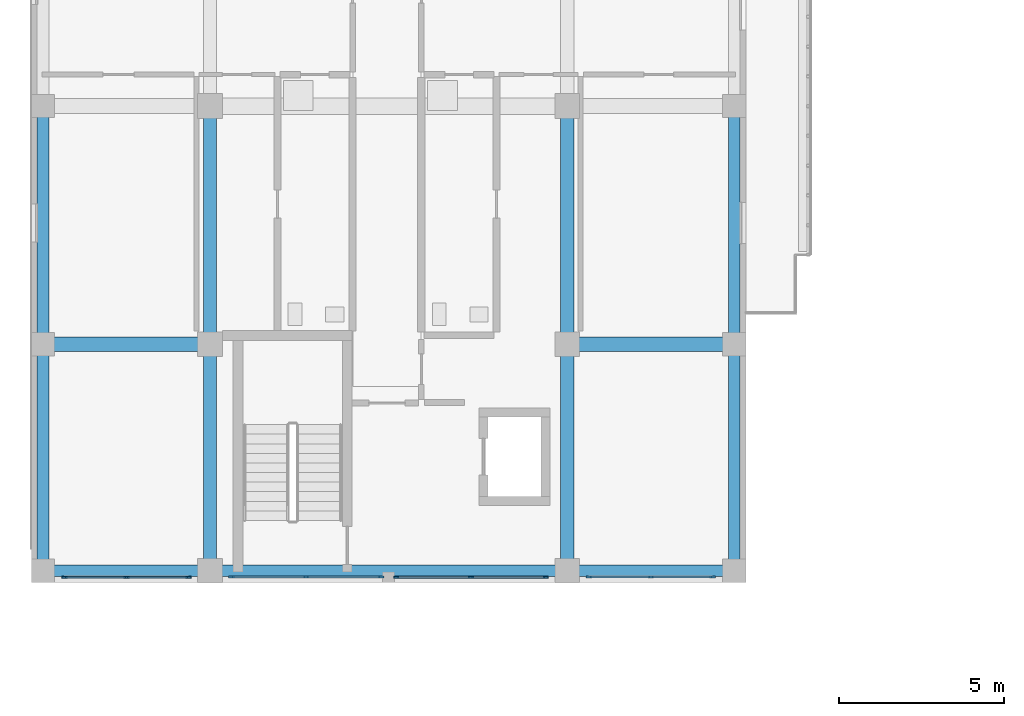
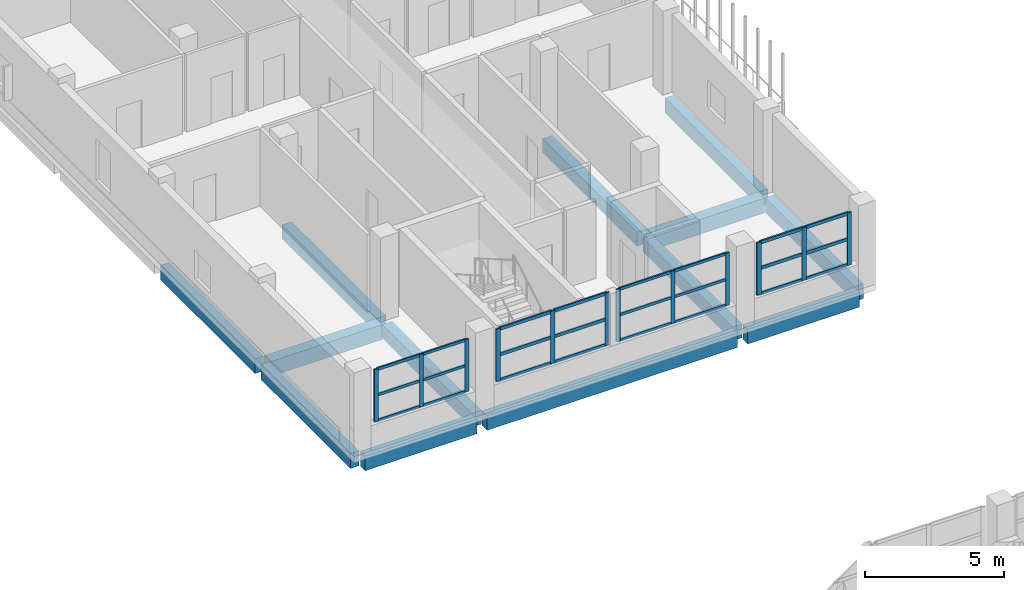
# One storey, part 13 of 73: 36 members, 13 beams, 4 elements without a shape of their own.
"""IFC4 building model written with IfcOpenShell, lengths in metres."""

from ifc_helpers import new_model, si_unit, derived_unit, direction, frame, origin, origin_2d, place, context, subcontext, project, spatial, rectangle, extrude, material, layer, layer_set, material_profile, profile_set, type_object, element, aggregate, save


model = new_model("IFC4")

# Units and contexts
model_context = context("Model", 3, precision=1e-05, world=origin(), true_north=direction((0.0, 1.0)))
body_context = subcontext(model_context, "Body", "Model", "MODEL_VIEW")
ifc_project = project(units=[si_unit("LENGTHUNIT", "METRE"), si_unit("AREAUNIT", "SQUARE_METRE"), si_unit("VOLUMEUNIT", "CUBIC_METRE"), si_unit("PLANEANGLEUNIT", "RADIAN"), si_unit("MASSUNIT", "GRAM", prefix="KILO"), derived_unit("THERMALTRANSMITTANCEUNIT", [(si_unit("MASSUNIT", "GRAM", prefix="KILO"), 1), (si_unit("TIMEUNIT", "SECOND"), -3), (si_unit("THERMODYNAMICTEMPERATUREUNIT", "KELVIN"), -1)])], contexts=[model_context])

# Site, building, storey
site_placement = place(None, origin())
site = spatial("IfcSite", under=ifc_project, at=site_placement, CompositionType="ELEMENT")
building_placement = place(site_placement, origin())
building = spatial("IfcBuilding", under=site, at=building_placement, Name="Ochrekiln Boulevard Commons", CompositionType="ELEMENT")
storey_placement = place(building_placement, frame((0.0, 0.0, 4.89990234375)))
storey = spatial("IfcBuildingStorey", under=building, at=storey_placement, Name="L01", CompositionType="ELEMENT", Elevation=4.89990234375)

# Beams
ifc_material_1 = material(Name="Concrete C35/45", Category="concrete")
ifc_material_profile_1 = material_profile(ifc_material_1, rectangle(XDim=0.39990234375, YDim=0.60009765625, at=origin_2d()), Name="RC-BM-400x600")
ifc_profile_set_1 = profile_set([ifc_material_profile_1], Name="Concrete C35/45")
beam_type_1 = type_object("IfcBeamType", Name="BM-RC-400x600", PredefinedType="BEAM", material=ifc_profile_set_1)
beam_1_placement = place(storey_placement, frame((5.39990234375, 68.9599609375, -0.559814453125), z_axis=(0.0, 1.0, 0.0), x_axis=(-1.0, 0.0, 0.0)))
element("IfcBeam", 1, at=beam_1_placement, inside=storey, type_object=beam_type_1, Name="Block A L01 Beam B-4060 Y30", PredefinedType="BEAM", context=body_context, shape_type="SweptSolid", body=[
    extrude(rectangle(XDim=0.39990234375, YDim=0.60009765625, at=origin_2d()), origin(), (0.0, 0.0, 1.0), 6.429931640625),
])
beam_2_placement = place(storey_placement, frame((5.39990234375, 75.81005859375, -0.559814453125), z_axis=(0.0, 1.0, 0.0), x_axis=(-1.0, 0.0, 0.0)))
element("IfcBeam", 2, at=beam_2_placement, inside=storey, type_object=beam_type_1, Name="Block A L01 Beam B-4060 Y31", PredefinedType="BEAM", context=body_context, shape_type="SweptSolid", body=[
    extrude(rectangle(XDim=0.39990234375, YDim=0.60009765625, at=origin_2d()), origin(), (0.0, 0.0, 1.0), 6.780029296875),
])
beam_3_placement = place(storey_placement, frame((16.199951171875, 68.9599609375, -0.559814453125), z_axis=(0.0, 1.0, 0.0), x_axis=(-1.0, 0.0, 0.0)))
element("IfcBeam", 3, at=beam_3_placement, inside=storey, type_object=beam_type_1, Name="Block A L01 Beam B-4060 Y37", PredefinedType="BEAM", context=body_context, shape_type="SweptSolid", body=[
    extrude(rectangle(XDim=0.39990234375, YDim=0.60009765625, at=origin_2d()), origin(), (0.0, 0.0, 1.0), 6.429931640625),
])
beam_4_placement = place(storey_placement, frame((16.199951171875, 75.81005859375, -0.559814453125), z_axis=(0.0, 1.0, 0.0), x_axis=(-1.0, 0.0, 0.0)))
element("IfcBeam", 4, at=beam_4_placement, inside=storey, type_object=beam_type_1, Name="Block A L01 Beam B-4060 Y38", PredefinedType="BEAM", context=body_context, shape_type="SweptSolid", body=[
    extrude(rectangle(XDim=0.39990234375, YDim=0.60009765625, at=origin_2d()), origin(), (0.0, 0.0, 1.0), 6.780029296875),
])
ifc_material_profile_2 = material_profile(ifc_material_1, rectangle(XDim=0.449951171875, YDim=0.64990234375, at=origin_2d()), Name="RC-BM-450x650")
ifc_profile_set_2 = profile_set([ifc_material_profile_2], Name="Concrete C35/45")
beam_type_2 = type_object("IfcBeamType", Name="BM-RC-450x650", PredefinedType="BEAM", material=ifc_profile_set_2)
beam_5_placement = place(storey_placement, frame((0.56005859375, 75.60009765625, -0.5849609375), z_axis=(1.0, 0.0, 0.0), x_axis=(0.0, 1.0, 0.0)))
element("IfcBeam", 5, at=beam_5_placement, inside=storey, type_object=beam_type_2, Name="Block A L01 Beam B-4565 X4", PredefinedType="BEAM", context=body_context, shape_type="SweptSolid", body=[
    extrude(rectangle(XDim=0.449951171875, YDim=0.64990234375, at=origin_2d()), origin(), (0.0, 0.0, 1.0), 4.6298828125),
])
beam_6_placement = place(storey_placement, frame((16.409912109375, 75.60009765625, -0.5849609375), z_axis=(1.0, 0.0, 0.0), x_axis=(0.0, 1.0, 0.0)))
element("IfcBeam", 6, at=beam_6_placement, inside=storey, type_object=beam_type_2, Name="Block A L01 Beam B-4565 X5", PredefinedType="BEAM", context=body_context, shape_type="SweptSolid", body=[
    extrude(rectangle(XDim=0.449951171875, YDim=0.64990234375, at=origin_2d()), origin(), (0.0, 0.0, 1.0), 4.630126953125),
])

# Curtain wall, members
ifc_material_2 = material(Name="Bronze-anodized extruded aluminium 6063-T6", Category="aluminium")
ifc_layer = layer(ifc_material_2, 0.172119140625)
ifc_layer_set = layer_set([ifc_layer], Name="Bronze-anodized extruded aluminium 6063-T6")
curtain_wall_type = type_object("IfcCurtainWallType", Name="CW-GABLE-A", PredefinedType="USERDEFINED", material=ifc_layer_set)
curtain_wall_1_placement = place(storey_placement, origin())
curtain_wall_1 = element("IfcCurtainWall", 7, at=curtain_wall_1_placement, inside=storey, type_object=curtain_wall_type, Name="Block A L01 Courtyard Glazed Gable Curtain Wall 1", ObjectType="GLAZED CURTAIN WALL", PredefinedType="USERDEFINED")
ifc_material_profile_3 = material_profile(ifc_material_2, rectangle(XDim=0.06005859375, YDim=0.159912109375, at=origin_2d()), Name="ALU-MUL-60x160")
ifc_profile_set_3 = profile_set([ifc_material_profile_3], Name="Bronze-anodized extruded aluminium 6063-T6")
member_type_1 = type_object("IfcMemberType", Name="CWM-60x160", PredefinedType="MULLION", material=ifc_profile_set_3)
member_1_placement = place(storey_placement, frame((1.0, 68.56005859375, 1.110107421875), z_axis=(0.0, 0.0, 1.0), x_axis=(0.0, 1.0, 0.0)))
member_1 = element("IfcMember", 8, at=member_1_placement, type_object=member_type_1, Name="CW-01 mullion 1", PredefinedType="MULLION", context=body_context, shape_type="SweptSolid", body=[
    extrude(rectangle(XDim=0.06005859375, YDim=0.159912109375, at=origin_2d()), origin(), (0.0, 0.0, 1.0), 2.304931640625),
])
member_2_placement = place(storey_placement, frame((2.875, 68.56005859375, 1.110107421875), z_axis=(0.0, 0.0, 1.0), x_axis=(0.0, 1.0, 0.0)))
member_2 = element("IfcMember", 9, at=member_2_placement, type_object=member_type_1, Name="CW-01 mullion 2", PredefinedType="MULLION", context=body_context, shape_type="SweptSolid", body=[
    extrude(rectangle(XDim=0.06005859375, YDim=0.159912109375, at=origin_2d()), origin(), (0.0, 0.0, 1.0), 2.304931640625),
])
member_3_placement = place(storey_placement, frame((4.75, 68.56005859375, 1.110107421875), z_axis=(0.0, 0.0, 1.0), x_axis=(0.0, 1.0, 0.0)))
member_3 = element("IfcMember", 10, at=member_3_placement, type_object=member_type_1, Name="CW-01 mullion 3", PredefinedType="MULLION", context=body_context, shape_type="SweptSolid", body=[
    extrude(rectangle(XDim=0.06005859375, YDim=0.159912109375, at=origin_2d()), origin(), (0.0, 0.0, 1.0), 2.304931640625),
])

curtain_wall_2_placement = place(storey_placement, origin())
curtain_wall_2 = element("IfcCurtainWall", 11, at=curtain_wall_2_placement, inside=storey, type_object=curtain_wall_type, Name="Block A L01 Courtyard Glazed Gable Curtain Wall 3", ObjectType="GLAZED CURTAIN WALL", PredefinedType="USERDEFINED")
member_4_placement = place(storey_placement, frame((11.030029296875, 68.56005859375, 1.110107421875), z_axis=(0.0, 0.0, 1.0), x_axis=(0.0, 1.0, 0.0)))
member_4 = element("IfcMember", 12, at=member_4_placement, type_object=member_type_1, Name="CW-01 mullion 1", PredefinedType="MULLION", context=body_context, shape_type="SweptSolid", body=[
    extrude(rectangle(XDim=0.06005859375, YDim=0.159912109375, at=origin_2d()), origin(), (0.0, 0.0, 1.0), 2.304931640625),
])
member_5_placement = place(storey_placement, frame((13.2900390625, 68.56005859375, 1.110107421875), z_axis=(0.0, 0.0, 1.0), x_axis=(0.0, 1.0, 0.0)))
member_5 = element("IfcMember", 13, at=member_5_placement, type_object=member_type_1, Name="CW-01 mullion 2", PredefinedType="MULLION", context=body_context, shape_type="SweptSolid", body=[
    extrude(rectangle(XDim=0.06005859375, YDim=0.159912109375, at=origin_2d()), origin(), (0.0, 0.0, 1.0), 2.304931640625),
])
member_6_placement = place(storey_placement, frame((15.550048828125, 68.56005859375, 1.110107421875), z_axis=(0.0, 0.0, 1.0), x_axis=(0.0, 1.0, 0.0)))
member_6 = element("IfcMember", 14, at=member_6_placement, type_object=member_type_1, Name="CW-01 mullion 3", PredefinedType="MULLION", context=body_context, shape_type="SweptSolid", body=[
    extrude(rectangle(XDim=0.06005859375, YDim=0.159912109375, at=origin_2d()), origin(), (0.0, 0.0, 1.0), 2.304931640625),
])

curtain_wall_3_placement = place(storey_placement, origin())
curtain_wall_3 = element("IfcCurtainWall", 15, at=curtain_wall_3_placement, inside=storey, type_object=curtain_wall_type, Name="Block A L01 Courtyard Glazed Gable Curtain Wall 2", ObjectType="GLAZED CURTAIN WALL", PredefinedType="USERDEFINED")
ifc_material_profile_4 = material_profile(ifc_material_2, rectangle(XDim=0.06494140625, YDim=0.179931640625, at=origin_2d()), Name="ALU-MUL-65x180")
ifc_profile_set_4 = profile_set([ifc_material_profile_4], Name="Bronze-anodized extruded aluminium 6063-T6")
member_type_2 = type_object("IfcMemberType", Name="CWM-65x180", PredefinedType="MULLION", material=ifc_profile_set_4)
member_7_placement = place(storey_placement, frame((6.052490234375, 68.56005859375, 1.110107421875), z_axis=(0.0, 0.0, 1.0), x_axis=(0.0, 1.0, 0.0)))
member_7 = element("IfcMember", 16, at=member_7_placement, type_object=member_type_2, Name="CW-01 mullion 1", PredefinedType="MULLION", context=body_context, shape_type="SweptSolid", body=[
    extrude(rectangle(XDim=0.06494140625, YDim=0.179931640625, at=origin_2d()), origin(), (0.0, 0.0, 1.0), 2.304931640625),
])
member_8_placement = place(storey_placement, frame((8.31005859375, 68.56005859375, 1.110107421875), z_axis=(0.0, 0.0, 1.0), x_axis=(0.0, 1.0, 0.0)))
member_8 = element("IfcMember", 17, at=member_8_placement, type_object=member_type_2, Name="CW-01 mullion 2", PredefinedType="MULLION", context=body_context, shape_type="SweptSolid", body=[
    extrude(rectangle(XDim=0.06494140625, YDim=0.179931640625, at=origin_2d()), origin(), (0.0, 0.0, 1.0), 2.304931640625),
])
member_9_placement = place(storey_placement, frame((10.5673828125, 68.56005859375, 1.110107421875), z_axis=(0.0, 0.0, 1.0), x_axis=(0.0, 1.0, 0.0)))
member_9 = element("IfcMember", 18, at=member_9_placement, type_object=member_type_2, Name="CW-01 mullion 3", PredefinedType="MULLION", context=body_context, shape_type="SweptSolid", body=[
    extrude(rectangle(XDim=0.06494140625, YDim=0.179931640625, at=origin_2d()), origin(), (0.0, 0.0, 1.0), 2.304931640625),
])

curtain_wall_4_placement = place(storey_placement, origin())
curtain_wall_4 = element("IfcCurtainWall", 19, at=curtain_wall_4_placement, inside=storey, type_object=curtain_wall_type, Name="Block A L01 Courtyard Glazed Gable Curtain Wall 4", ObjectType="GLAZED CURTAIN WALL", PredefinedType="USERDEFINED")
member_10_placement = place(storey_placement, frame((16.8525390625, 68.56005859375, 1.110107421875), z_axis=(0.0, 0.0, 1.0), x_axis=(0.0, 1.0, 0.0)))
member_10 = element("IfcMember", 20, at=member_10_placement, type_object=member_type_2, Name="CW-01 mullion 1", PredefinedType="MULLION", context=body_context, shape_type="SweptSolid", body=[
    extrude(rectangle(XDim=0.06494140625, YDim=0.179931640625, at=origin_2d()), origin(), (0.0, 0.0, 1.0), 2.304931640625),
])
member_11_placement = place(storey_placement, frame((18.72509765625, 68.56005859375, 1.110107421875), z_axis=(0.0, 0.0, 1.0), x_axis=(0.0, 1.0, 0.0)))
member_11 = element("IfcMember", 21, at=member_11_placement, type_object=member_type_2, Name="CW-01 mullion 2", PredefinedType="MULLION", context=body_context, shape_type="SweptSolid", body=[
    extrude(rectangle(XDim=0.06494140625, YDim=0.179931640625, at=origin_2d()), origin(), (0.0, 0.0, 1.0), 2.304931640625),
])
member_12_placement = place(storey_placement, frame((20.597412109375, 68.56005859375, 1.110107421875), z_axis=(0.0, 0.0, 1.0), x_axis=(0.0, 1.0, 0.0)))
member_12 = element("IfcMember", 22, at=member_12_placement, type_object=member_type_2, Name="CW-01 mullion 3", PredefinedType="MULLION", context=body_context, shape_type="SweptSolid", body=[
    extrude(rectangle(XDim=0.06494140625, YDim=0.179931640625, at=origin_2d()), origin(), (0.0, 0.0, 1.0), 2.304931640625),
])

# Member
ifc_material_profile_5 = material_profile(ifc_material_2, rectangle(XDim=0.06005859375, YDim=0.1201171875, at=origin_2d()), Name="ALU-TRN-60x120")
ifc_profile_set_5 = profile_set([ifc_material_profile_5], Name="Bronze-anodized extruded aluminium 6063-T6")
member_type_3 = type_object("IfcMemberType", Name="CWT-60x120", PredefinedType="USERDEFINED", material=ifc_profile_set_5)
member_13_placement = place(storey_placement, frame((1.030029296875, 68.56005859375, 1.14013671875), z_axis=(1.0, 0.0, 0.0), x_axis=(0.0, 1.0, 0.0)))
member_13 = element("IfcMember", 23, at=member_13_placement, type_object=member_type_3, Name="CW-01 transom 1.1", ObjectType="TRANSOM", PredefinedType="USERDEFINED", context=body_context, shape_type="SweptSolid", body=[
    extrude(rectangle(XDim=0.06005859375, YDim=0.1201171875, at=origin_2d()), origin(), (0.0, 0.0, 1.0), 1.81494140625),
])

member_14_placement = place(storey_placement, frame((1.030029296875, 68.56005859375, 2.26220703125), z_axis=(1.0, 0.0, 0.0), x_axis=(0.0, 1.0, 0.0)))
member_14 = element("IfcMember", 24, at=member_14_placement, type_object=member_type_3, Name="CW-01 transom 1.2", ObjectType="TRANSOM", PredefinedType="USERDEFINED", context=body_context, shape_type="SweptSolid", body=[
    extrude(rectangle(XDim=0.06005859375, YDim=0.1201171875, at=origin_2d()), origin(), (0.0, 0.0, 1.0), 1.81494140625),
])

member_15_placement = place(storey_placement, frame((1.030029296875, 68.56005859375, 3.385009765625), z_axis=(1.0, 0.0, 0.0), x_axis=(0.0, 1.0, 0.0)))
member_15 = element("IfcMember", 25, at=member_15_placement, type_object=member_type_3, Name="CW-01 transom 1.3", ObjectType="TRANSOM", PredefinedType="USERDEFINED", context=body_context, shape_type="SweptSolid", body=[
    extrude(rectangle(XDim=0.06005859375, YDim=0.1201171875, at=origin_2d()), origin(), (0.0, 0.0, 1.0), 1.81494140625),
])

member_16_placement = place(storey_placement, frame((2.905029296875, 68.56005859375, 1.14013671875), z_axis=(1.0, 0.0, 0.0), x_axis=(0.0, 1.0, 0.0)))
member_16 = element("IfcMember", 26, at=member_16_placement, type_object=member_type_3, Name="CW-01 transom 2.1", ObjectType="TRANSOM", PredefinedType="USERDEFINED", context=body_context, shape_type="SweptSolid", body=[
    extrude(rectangle(XDim=0.06005859375, YDim=0.1201171875, at=origin_2d()), origin(), (0.0, 0.0, 1.0), 1.81494140625),
])

member_17_placement = place(storey_placement, frame((2.905029296875, 68.56005859375, 2.26220703125), z_axis=(1.0, 0.0, 0.0), x_axis=(0.0, 1.0, 0.0)))
member_17 = element("IfcMember", 27, at=member_17_placement, type_object=member_type_3, Name="CW-01 transom 2.2", ObjectType="TRANSOM", PredefinedType="USERDEFINED", context=body_context, shape_type="SweptSolid", body=[
    extrude(rectangle(XDim=0.06005859375, YDim=0.1201171875, at=origin_2d()), origin(), (0.0, 0.0, 1.0), 1.81494140625),
])

member_18_placement = place(storey_placement, frame((2.905029296875, 68.56005859375, 3.385009765625), z_axis=(1.0, 0.0, 0.0), x_axis=(0.0, 1.0, 0.0)))
member_18 = element("IfcMember", 28, at=member_18_placement, type_object=member_type_3, Name="CW-01 transom 2.3", ObjectType="TRANSOM", PredefinedType="USERDEFINED", context=body_context, shape_type="SweptSolid", body=[
    extrude(rectangle(XDim=0.06005859375, YDim=0.1201171875, at=origin_2d()), origin(), (0.0, 0.0, 1.0), 1.81494140625),
])

aggregate(curtain_wall_1, [member_1, member_2, member_3, member_13, member_14, member_15, member_16, member_17, member_18])

member_19_placement = place(storey_placement, frame((11.06005859375, 68.56005859375, 1.14013671875), z_axis=(1.0, 0.0, 0.0), x_axis=(0.0, 1.0, 0.0)))
member_19 = element("IfcMember", 29, at=member_19_placement, type_object=member_type_3, Name="CW-01 transom 1.1", ObjectType="TRANSOM", PredefinedType="USERDEFINED", context=body_context, shape_type="SweptSolid", body=[
    extrude(rectangle(XDim=0.06005859375, YDim=0.1201171875, at=origin_2d()), origin(), (0.0, 0.0, 1.0), 2.199951171875),
])

member_20_placement = place(storey_placement, frame((11.06005859375, 68.56005859375, 2.26220703125), z_axis=(1.0, 0.0, 0.0), x_axis=(0.0, 1.0, 0.0)))
member_20 = element("IfcMember", 30, at=member_20_placement, type_object=member_type_3, Name="CW-01 transom 1.2", ObjectType="TRANSOM", PredefinedType="USERDEFINED", context=body_context, shape_type="SweptSolid", body=[
    extrude(rectangle(XDim=0.06005859375, YDim=0.1201171875, at=origin_2d()), origin(), (0.0, 0.0, 1.0), 2.199951171875),
])

member_21_placement = place(storey_placement, frame((11.06005859375, 68.56005859375, 3.385009765625), z_axis=(1.0, 0.0, 0.0), x_axis=(0.0, 1.0, 0.0)))
member_21 = element("IfcMember", 31, at=member_21_placement, type_object=member_type_3, Name="CW-01 transom 1.3", ObjectType="TRANSOM", PredefinedType="USERDEFINED", context=body_context, shape_type="SweptSolid", body=[
    extrude(rectangle(XDim=0.06005859375, YDim=0.1201171875, at=origin_2d()), origin(), (0.0, 0.0, 1.0), 2.199951171875),
])

member_22_placement = place(storey_placement, frame((13.320068359375, 68.56005859375, 1.14013671875), z_axis=(1.0, 0.0, 0.0), x_axis=(0.0, 1.0, 0.0)))
member_22 = element("IfcMember", 32, at=member_22_placement, type_object=member_type_3, Name="CW-01 transom 2.1", ObjectType="TRANSOM", PredefinedType="USERDEFINED", context=body_context, shape_type="SweptSolid", body=[
    extrude(rectangle(XDim=0.06005859375, YDim=0.1201171875, at=origin_2d()), origin(), (0.0, 0.0, 1.0), 2.199951171875),
])

member_23_placement = place(storey_placement, frame((13.320068359375, 68.56005859375, 2.26220703125), z_axis=(1.0, 0.0, 0.0), x_axis=(0.0, 1.0, 0.0)))
member_23 = element("IfcMember", 33, at=member_23_placement, type_object=member_type_3, Name="CW-01 transom 2.2", ObjectType="TRANSOM", PredefinedType="USERDEFINED", context=body_context, shape_type="SweptSolid", body=[
    extrude(rectangle(XDim=0.06005859375, YDim=0.1201171875, at=origin_2d()), origin(), (0.0, 0.0, 1.0), 2.199951171875),
])

member_24_placement = place(storey_placement, frame((13.320068359375, 68.56005859375, 3.385009765625), z_axis=(1.0, 0.0, 0.0), x_axis=(0.0, 1.0, 0.0)))
member_24 = element("IfcMember", 34, at=member_24_placement, type_object=member_type_3, Name="CW-01 transom 2.3", ObjectType="TRANSOM", PredefinedType="USERDEFINED", context=body_context, shape_type="SweptSolid", body=[
    extrude(rectangle(XDim=0.06005859375, YDim=0.1201171875, at=origin_2d()), origin(), (0.0, 0.0, 1.0), 2.199951171875),
])

aggregate(curtain_wall_2, [member_4, member_5, member_6, member_19, member_20, member_21, member_22, member_23, member_24])

ifc_material_profile_6 = material_profile(ifc_material_2, rectangle(XDim=0.06494140625, YDim=0.139892578125, at=origin_2d()), Name="ALU-TRN-65x140")
ifc_profile_set_6 = profile_set([ifc_material_profile_6], Name="Bronze-anodized extruded aluminium 6063-T6")
member_type_4 = type_object("IfcMemberType", Name="CWT-65x140", PredefinedType="USERDEFINED", material=ifc_profile_set_6)
member_25_placement = place(storey_placement, frame((6.0849609375, 68.56005859375, 1.142578125), z_axis=(1.0, 0.0, 0.0), x_axis=(0.0, 1.0, 0.0)))
member_25 = element("IfcMember", 35, at=member_25_placement, type_object=member_type_4, Name="CW-01 transom 1.1", ObjectType="TRANSOM", PredefinedType="USERDEFINED", context=body_context, shape_type="SweptSolid", body=[
    extrude(rectangle(XDim=0.06494140625, YDim=0.139892578125, at=origin_2d()), origin(), (0.0, 0.0, 1.0), 2.192626953125),
])

member_26_placement = place(storey_placement, frame((6.0849609375, 68.56005859375, 2.26220703125), z_axis=(1.0, 0.0, 0.0), x_axis=(0.0, 1.0, 0.0)))
member_26 = element("IfcMember", 36, at=member_26_placement, type_object=member_type_4, Name="CW-01 transom 1.2", ObjectType="TRANSOM", PredefinedType="USERDEFINED", context=body_context, shape_type="SweptSolid", body=[
    extrude(rectangle(XDim=0.06494140625, YDim=0.139892578125, at=origin_2d()), origin(), (0.0, 0.0, 1.0), 2.192626953125),
])

member_27_placement = place(storey_placement, frame((6.0849609375, 68.56005859375, 3.382568359375), z_axis=(1.0, 0.0, 0.0), x_axis=(0.0, 1.0, 0.0)))
member_27 = element("IfcMember", 37, at=member_27_placement, type_object=member_type_4, Name="CW-01 transom 1.3", ObjectType="TRANSOM", PredefinedType="USERDEFINED", context=body_context, shape_type="SweptSolid", body=[
    extrude(rectangle(XDim=0.06494140625, YDim=0.139892578125, at=origin_2d()), origin(), (0.0, 0.0, 1.0), 2.192626953125),
])

member_28_placement = place(storey_placement, frame((8.342529296875, 68.56005859375, 1.142578125), z_axis=(1.0, 0.0, 0.0), x_axis=(0.0, 1.0, 0.0)))
member_28 = element("IfcMember", 38, at=member_28_placement, type_object=member_type_4, Name="CW-01 transom 2.1", ObjectType="TRANSOM", PredefinedType="USERDEFINED", context=body_context, shape_type="SweptSolid", body=[
    extrude(rectangle(XDim=0.06494140625, YDim=0.139892578125, at=origin_2d()), origin(), (0.0, 0.0, 1.0), 2.1923828125),
])

member_29_placement = place(storey_placement, frame((8.342529296875, 68.56005859375, 2.26220703125), z_axis=(1.0, 0.0, 0.0), x_axis=(0.0, 1.0, 0.0)))
member_29 = element("IfcMember", 39, at=member_29_placement, type_object=member_type_4, Name="CW-01 transom 2.2", ObjectType="TRANSOM", PredefinedType="USERDEFINED", context=body_context, shape_type="SweptSolid", body=[
    extrude(rectangle(XDim=0.06494140625, YDim=0.139892578125, at=origin_2d()), origin(), (0.0, 0.0, 1.0), 2.1923828125),
])

member_30_placement = place(storey_placement, frame((8.342529296875, 68.56005859375, 3.382568359375), z_axis=(1.0, 0.0, 0.0), x_axis=(0.0, 1.0, 0.0)))
member_30 = element("IfcMember", 40, at=member_30_placement, type_object=member_type_4, Name="CW-01 transom 2.3", ObjectType="TRANSOM", PredefinedType="USERDEFINED", context=body_context, shape_type="SweptSolid", body=[
    extrude(rectangle(XDim=0.06494140625, YDim=0.139892578125, at=origin_2d()), origin(), (0.0, 0.0, 1.0), 2.1923828125),
])

aggregate(curtain_wall_3, [member_7, member_8, member_9, member_25, member_26, member_27, member_28, member_29, member_30])

member_31_placement = place(storey_placement, frame((16.885009765625, 68.56005859375, 1.142578125), z_axis=(1.0, 0.0, 0.0), x_axis=(0.0, 1.0, 0.0)))
member_31 = element("IfcMember", 41, at=member_31_placement, type_object=member_type_4, Name="CW-01 transom 1.1", ObjectType="TRANSOM", PredefinedType="USERDEFINED", context=body_context, shape_type="SweptSolid", body=[
    extrude(rectangle(XDim=0.06494140625, YDim=0.139892578125, at=origin_2d()), origin(), (0.0, 0.0, 1.0), 1.807373046875),
])

member_32_placement = place(storey_placement, frame((16.885009765625, 68.56005859375, 2.26220703125), z_axis=(1.0, 0.0, 0.0), x_axis=(0.0, 1.0, 0.0)))
member_32 = element("IfcMember", 42, at=member_32_placement, type_object=member_type_4, Name="CW-01 transom 1.2", ObjectType="TRANSOM", PredefinedType="USERDEFINED", context=body_context, shape_type="SweptSolid", body=[
    extrude(rectangle(XDim=0.06494140625, YDim=0.139892578125, at=origin_2d()), origin(), (0.0, 0.0, 1.0), 1.807373046875),
])

member_33_placement = place(storey_placement, frame((16.885009765625, 68.56005859375, 3.382568359375), z_axis=(1.0, 0.0, 0.0), x_axis=(0.0, 1.0, 0.0)))
member_33 = element("IfcMember", 43, at=member_33_placement, type_object=member_type_4, Name="CW-01 transom 1.3", ObjectType="TRANSOM", PredefinedType="USERDEFINED", context=body_context, shape_type="SweptSolid", body=[
    extrude(rectangle(XDim=0.06494140625, YDim=0.139892578125, at=origin_2d()), origin(), (0.0, 0.0, 1.0), 1.807373046875),
])

member_34_placement = place(storey_placement, frame((18.757568359375, 68.56005859375, 1.142578125), z_axis=(1.0, 0.0, 0.0), x_axis=(0.0, 1.0, 0.0)))
member_34 = element("IfcMember", 44, at=member_34_placement, type_object=member_type_4, Name="CW-01 transom 2.1", ObjectType="TRANSOM", PredefinedType="USERDEFINED", context=body_context, shape_type="SweptSolid", body=[
    extrude(rectangle(XDim=0.06494140625, YDim=0.139892578125, at=origin_2d()), origin(), (0.0, 0.0, 1.0), 1.807373046875),
])

member_35_placement = place(storey_placement, frame((18.757568359375, 68.56005859375, 2.26220703125), z_axis=(1.0, 0.0, 0.0), x_axis=(0.0, 1.0, 0.0)))
member_35 = element("IfcMember", 45, at=member_35_placement, type_object=member_type_4, Name="CW-01 transom 2.2", ObjectType="TRANSOM", PredefinedType="USERDEFINED", context=body_context, shape_type="SweptSolid", body=[
    extrude(rectangle(XDim=0.06494140625, YDim=0.139892578125, at=origin_2d()), origin(), (0.0, 0.0, 1.0), 1.807373046875),
])

member_36_placement = place(storey_placement, frame((18.757568359375, 68.56005859375, 3.382568359375), z_axis=(1.0, 0.0, 0.0), x_axis=(0.0, 1.0, 0.0)))
member_36 = element("IfcMember", 46, at=member_36_placement, type_object=member_type_4, Name="CW-01 transom 2.3", ObjectType="TRANSOM", PredefinedType="USERDEFINED", context=body_context, shape_type="SweptSolid", body=[
    extrude(rectangle(XDim=0.06494140625, YDim=0.139892578125, at=origin_2d()), origin(), (0.0, 0.0, 1.0), 1.807373046875),
])

aggregate(curtain_wall_4, [member_10, member_11, member_12, member_31, member_32, member_33, member_34, member_35, member_36])

# Beams
ifc_material_3 = material(Name="Concrete C40/50", Category="concrete")
ifc_material_profile_7 = material_profile(ifc_material_3, rectangle(XDim=0.35009765625, YDim=0.64990234375, at=origin_2d()), Name="RC-SPN-350x650")
ifc_profile_set_7 = profile_set([ifc_material_profile_7], Name="Concrete C40/50")
beam_type_3 = type_object("IfcBeamType", Name="SPN-RC-350x650", PredefinedType="SPANDREL", material=ifc_profile_set_7)
beam_7_placement = place(storey_placement, frame((0.56005859375, 68.75, -0.5849609375), z_axis=(1.0, 0.0, 0.0), x_axis=(0.0, 1.0, 0.0)))
element("IfcBeam", 47, at=beam_7_placement, inside=storey, type_object=beam_type_3, Name="Block A L01 Beam SP-3565 X1", PredefinedType="SPANDREL", context=body_context, shape_type="SweptSolid", body=[
    extrude(rectangle(XDim=0.35009765625, YDim=0.64990234375, at=origin_2d()), origin(), (0.0, 0.0, 1.0), 4.6298828125),
])
beam_8_placement = place(storey_placement, frame((5.610107421875, 68.75, -0.5849609375), z_axis=(1.0, 0.0, 0.0), x_axis=(0.0, 1.0, 0.0)))
element("IfcBeam", 48, at=beam_8_placement, inside=storey, type_object=beam_type_3, Name="Block A L01 Beam SP-3565 X2", PredefinedType="SPANDREL", context=body_context, shape_type="SweptSolid", body=[
    extrude(rectangle(XDim=0.35009765625, YDim=0.64990234375, at=origin_2d()), origin(), (0.0, 0.0, 1.0), 10.3798828125),
])
beam_9_placement = place(storey_placement, frame((16.409912109375, 68.75, -0.5849609375), z_axis=(1.0, 0.0, 0.0), x_axis=(0.0, 1.0, 0.0)))
element("IfcBeam", 49, at=beam_9_placement, inside=storey, type_object=beam_type_3, Name="Block A L01 Beam SP-3565 X3", PredefinedType="SPANDREL", context=body_context, shape_type="SweptSolid", body=[
    extrude(rectangle(XDim=0.35009765625, YDim=0.64990234375, at=origin_2d()), origin(), (0.0, 0.0, 1.0), 4.630126953125),
])
beam_10_placement = place(storey_placement, frame((0.35009765625, 68.9599609375, -0.5849609375), z_axis=(0.0, 1.0, 0.0), x_axis=(-1.0, 0.0, 0.0)))
element("IfcBeam", 50, at=beam_10_placement, inside=storey, type_object=beam_type_3, Name="Block A L01 Beam SP-3565 Y23", PredefinedType="SPANDREL", context=body_context, shape_type="SweptSolid", body=[
    extrude(rectangle(XDim=0.35009765625, YDim=0.64990234375, at=origin_2d()), origin(), (0.0, 0.0, 1.0), 6.429931640625),
])
beam_11_placement = place(storey_placement, frame((0.35009765625, 75.81005859375, -0.5849609375), z_axis=(0.0, 1.0, 0.0), x_axis=(-1.0, 0.0, 0.0)))
element("IfcBeam", 51, at=beam_11_placement, inside=storey, type_object=beam_type_3, Name="Block A L01 Beam SP-3565 Y24", PredefinedType="SPANDREL", context=body_context, shape_type="SweptSolid", body=[
    extrude(rectangle(XDim=0.35009765625, YDim=0.64990234375, at=origin_2d()), origin(), (0.0, 0.0, 1.0), 6.780029296875),
])
beam_12_placement = place(storey_placement, frame((21.25, 68.9599609375, -0.5849609375), z_axis=(0.0, 1.0, 0.0), x_axis=(-1.0, 0.0, 0.0)))
element("IfcBeam", 52, at=beam_12_placement, inside=storey, type_object=beam_type_3, Name="Block A L01 Beam SP-3565 Y44", PredefinedType="SPANDREL", context=body_context, shape_type="SweptSolid", body=[
    extrude(rectangle(XDim=0.35009765625, YDim=0.64990234375, at=origin_2d()), origin(), (0.0, 0.0, 1.0), 6.429931640625),
])
beam_13_placement = place(storey_placement, frame((21.25, 75.81005859375, -0.5849609375), z_axis=(0.0, 1.0, 0.0), x_axis=(-1.0, 0.0, 0.0)))
element("IfcBeam", 53, at=beam_13_placement, inside=storey, type_object=beam_type_3, Name="Block A L01 Beam SP-3565 Y45", PredefinedType="SPANDREL", context=body_context, shape_type="SweptSolid", body=[
    extrude(rectangle(XDim=0.35009765625, YDim=0.64990234375, at=origin_2d()), origin(), (0.0, 0.0, 1.0), 6.780029296875),
])

save(model, "model.ifc")
